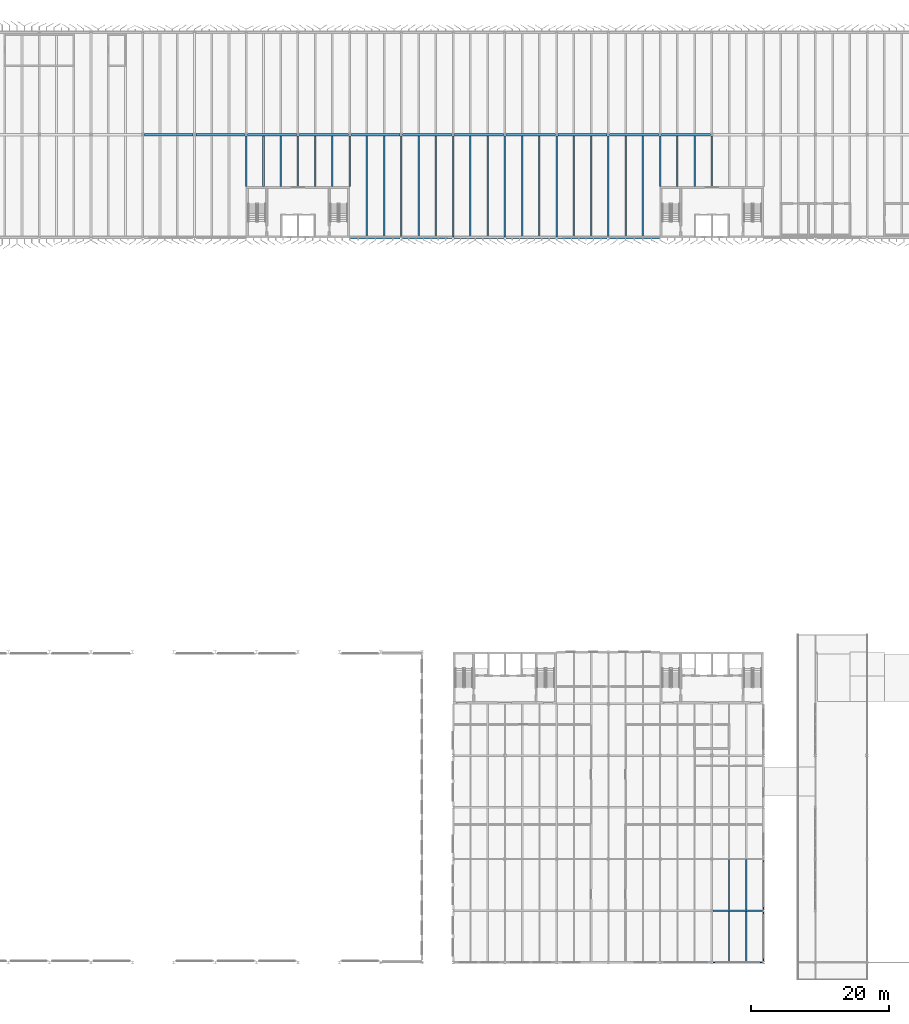
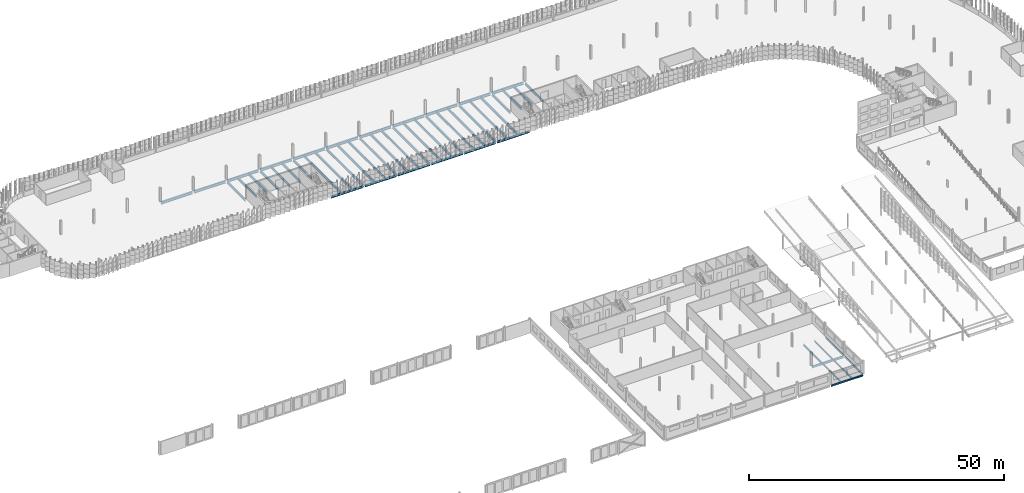
# One storey, part 31 of 199: 53 beams.
"""IFC4 building model written with IfcOpenShell, lengths in metres."""

from ifc_helpers import new_model, si_unit, direction, frame, origin, origin_2d, place, context, subcontext, project, spatial, i_section, extrude, material, material_profile, profile_set, type_object, element, save


model = new_model("IFC4")

# Units and contexts
model_context = context("Model", 3, precision=1e-05, world=origin(), true_north=direction((0.0, 1.0)))
body_context = subcontext(model_context, "Body", "Model", "MODEL_VIEW")
ifc_project = project(units=[si_unit("LENGTHUNIT", "METRE"), si_unit("AREAUNIT", "SQUARE_METRE"), si_unit("VOLUMEUNIT", "CUBIC_METRE"), si_unit("PLANEANGLEUNIT", "RADIAN"), si_unit("MASSUNIT", "GRAM", prefix="KILO")], contexts=[model_context])

# Site, building, storey
site_placement = place(None, origin())
site = spatial("IfcSite", under=ifc_project, at=site_placement, CompositionType="ELEMENT")
building_placement = place(site_placement, origin())
building = spatial("IfcBuilding", under=site, at=building_placement, Name="Parallax Yard Mobility Hub", CompositionType="ELEMENT")
storey_placement = place(building_placement, frame((0.0, 0.0, 9.89990234375)))
storey = spatial("IfcBuildingStorey", under=building, at=storey_placement, Name="L03", CompositionType="ELEMENT", Elevation=9.89990234375)

# Beams
ifc_material = material(Name="Steel ASTM A992", Category="steel")
ifc_material_profile_1 = material_profile(ifc_material, i_section(OverallWidth=0.177978515625, OverallDepth=0.406005859375, WebThickness=0.0078125, FlangeThickness=0.0126953125, FilletRadius=0.01025390625, at=origin_2d()), Name="W410x60")
ifc_profile_set_1 = profile_set([ifc_material_profile_1], Name="Steel ASTM A992")
beam_type_1 = type_object("IfcBeamType", Name="W410x60 secondary beam", PredefinedType="JOIST", material=ifc_profile_set_1)
beam_1_placement = place(storey_placement, frame((137.5, 7.589599609375, -0.343017578125), z_axis=(0.0, 1.0, 0.0), x_axis=(-1.0, 0.0, 0.0)))
element("IfcBeam", 1, at=beam_1_placement, inside=storey, type_object=beam_type_1, Name="Secondary beam B1 level L03, 2.5 m east of line 19 of mobility service centre and workshops, span 1", PredefinedType="JOIST", context=body_context, shape_type="SweptSolid", body=[
    extrude(i_section(OverallWidth=0.177978515625, OverallDepth=0.406005859375, WebThickness=0.0078125, FlangeThickness=0.0126953125, FilletRadius=0.01025390625, at=origin_2d()), origin(), (0.0, 0.0, 1.0), 7.305908203125),
])
beam_2_placement = place(storey_placement, frame((137.5, 15.1044921875, -0.343017578125), z_axis=(0.0, 1.0, 0.0), x_axis=(-1.0, 0.0, 0.0)))
element("IfcBeam", 2, at=beam_2_placement, inside=storey, type_object=beam_type_1, Name="Secondary beam B1 level L03, 2.5 m east of line 19 of mobility service centre and workshops, span 2", PredefinedType="JOIST", context=body_context, shape_type="SweptSolid", body=[
    extrude(i_section(OverallWidth=0.177978515625, OverallDepth=0.406005859375, WebThickness=0.0078125, FlangeThickness=0.0126953125, FilletRadius=0.01025390625, at=origin_2d()), origin(), (0.0, 0.0, 1.0), 7.291015625),
])
beam_3_placement = place(storey_placement, frame((140.0, 7.589599609375, -0.343017578125), z_axis=(0.0, 1.0, 0.0), x_axis=(-1.0, 0.0, 0.0)))
element("IfcBeam", 3, at=beam_3_placement, inside=storey, type_object=beam_type_1, Name="Secondary beam B1 level L03, 5 m east of line 19 of mobility service centre and workshops, span 1", PredefinedType="JOIST", context=body_context, shape_type="SweptSolid", body=[
    extrude(i_section(OverallWidth=0.177978515625, OverallDepth=0.406005859375, WebThickness=0.0078125, FlangeThickness=0.0126953125, FilletRadius=0.01025390625, at=origin_2d()), origin(), (0.0, 0.0, 1.0), 7.305908203125),
])
beam_4_placement = place(storey_placement, frame((140.0, 15.1044921875, -0.343017578125), z_axis=(0.0, 1.0, 0.0), x_axis=(-1.0, 0.0, 0.0)))
element("IfcBeam", 4, at=beam_4_placement, inside=storey, type_object=beam_type_1, Name="Secondary beam B1 level L03, 5 m east of line 19 of mobility service centre and workshops, span 2", PredefinedType="JOIST", context=body_context, shape_type="SweptSolid", body=[
    extrude(i_section(OverallWidth=0.177978515625, OverallDepth=0.406005859375, WebThickness=0.0078125, FlangeThickness=0.0126953125, FilletRadius=0.01025390625, at=origin_2d()), origin(), (0.0, 0.0, 1.0), 7.291015625),
])
ifc_material_profile_2 = material_profile(ifc_material, i_section(OverallWidth=0.178955078125, OverallDepth=0.408935546875, WebThickness=0.0087890625, FlangeThickness=0.014404296875, FilletRadius=0.01025390625, at=origin_2d()), Name="W410x67")
ifc_profile_set_2 = profile_set([ifc_material_profile_2], Name="Steel ASTM A992")
beam_type_2 = type_object("IfcBeamType", Name="W410x67 edge beam", PredefinedType="SPANDREL", material=ifc_profile_set_2)
for number, where, z_axis, x_axis, name in (
    (5, (142.5, 7.653564453125, -0.344482421875), (0.0, 1.0, 0.0), (-1.0, 0.0, 0.0), "Edge beam SB3 level L03, line 20 of mobility service centre and workshops, span 1"),
    (6, (142.5, 15.153564453125, -0.344482421875), (0.0, 1.0, 0.0), (-1.0, 0.0, 0.0), "Edge beam SB3 level L03, line 20 of mobility service centre and workshops, span 2"),
):
    element("IfcBeam", number, at=place(storey_placement, frame(where, z_axis=z_axis, x_axis=x_axis)), inside=storey, type_object=beam_type_2, Name=name, PredefinedType="SPANDREL", context=body_context, shape_type="SweptSolid", body=[
        extrude(i_section(OverallWidth=0.178955078125, OverallDepth=0.408935546875, WebThickness=0.0087890625, FlangeThickness=0.014404296875, FilletRadius=0.01025390625, at=origin_2d()), origin(), (0.0, 0.0, 1.0), 7.19287109375),
    ])
beam_5_placement = place(storey_placement, frame((135.152587890625, 7.5, -0.344482421875), z_axis=(1.0, 0.0, 0.0), x_axis=(0.0, 1.0, 0.0)))
element("IfcBeam", 7, at=beam_5_placement, inside=storey, type_object=beam_type_2, Name="Edge beam SB3 level L03, line B of mobility service centre and workshops, span 6", PredefinedType="SPANDREL", context=body_context, shape_type="SweptSolid", body=[
    extrude(i_section(OverallWidth=0.178955078125, OverallDepth=0.408935546875, WebThickness=0.0087890625, FlangeThickness=0.014404296875, FilletRadius=0.01025390625, at=origin_2d()), origin(), (0.0, 0.0, 1.0), 7.19482421875),
])
ifc_material_profile_3 = material_profile(ifc_material, i_section(OverallWidth=0.208984375, OverallDepth=0.532958984375, WebThickness=0.01025390625, FlangeThickness=0.015625, FilletRadius=0.0126953125, at=origin_2d()), Name="W530x92")
ifc_profile_set_3 = profile_set([ifc_material_profile_3], Name="Steel ASTM A992")
beam_type_3 = type_object("IfcBeamType", Name="W530x92 edge beam", PredefinedType="SPANDREL", material=ifc_profile_set_3)
beam_6_placement = place(storey_placement, frame((82.5, 112.5, -0.406494140625), z_axis=(1.0, 0.0, 0.0), x_axis=(0.0, 1.0, 0.0)))
element("IfcBeam", 8, at=beam_6_placement, inside=storey, type_object=beam_type_3, Name="Edge beam SB5 level L03, line R of ramped parking decks, span 6", PredefinedType="SPANDREL", context=body_context, shape_type="SweptSolid", body=[
    extrude(i_section(OverallWidth=0.208984375, OverallDepth=0.532958984375, WebThickness=0.01025390625, FlangeThickness=0.015625, FilletRadius=0.0126953125, at=origin_2d()), origin(), (0.0, 0.0, 1.0), 7.3134765625),
])
beam_7_placement = place(storey_placement, frame((90.1865234375, 112.5, -0.406494140625), z_axis=(1.0, 0.0, 0.0), x_axis=(0.0, 1.0, 0.0)))
element("IfcBeam", 9, at=beam_7_placement, inside=storey, type_object=beam_type_3, Name="Edge beam SB5 level L03, line R of ramped parking decks, span 7", PredefinedType="SPANDREL", context=body_context, shape_type="SweptSolid", body=[
    extrude(i_section(OverallWidth=0.208984375, OverallDepth=0.532958984375, WebThickness=0.01025390625, FlangeThickness=0.015625, FilletRadius=0.0126953125, at=origin_2d()), origin(), (0.0, 0.0, 1.0), 7.160888671875),
])
for number, where, z_axis, x_axis, name in (
    (10, (97.652587890625, 112.5, -0.406494140625), (1.0, 0.0, 0.0), (0.0, 1.0, 0.0), "Edge beam SB5 level L03, line R of ramped parking decks, span 8"),
    (11, (105.152587890625, 112.5, -0.406494140625), (1.0, 0.0, 0.0), (0.0, 1.0, 0.0), "Edge beam SB5 level L03, line R of ramped parking decks, span 9"),
):
    element("IfcBeam", number, at=place(storey_placement, frame(where, z_axis=z_axis, x_axis=x_axis)), inside=storey, type_object=beam_type_3, Name=name, PredefinedType="SPANDREL", context=body_context, shape_type="SweptSolid", body=[
        extrude(i_section(OverallWidth=0.208984375, OverallDepth=0.532958984375, WebThickness=0.01025390625, FlangeThickness=0.015625, FilletRadius=0.0126953125, at=origin_2d()), origin(), (0.0, 0.0, 1.0), 7.19482421875),
    ])
beam_8_placement = place(storey_placement, frame((112.652587890625, 112.5, -0.406494140625), z_axis=(1.0, 0.0, 0.0), x_axis=(0.0, 1.0, 0.0)))
element("IfcBeam", 12, at=beam_8_placement, inside=storey, type_object=beam_type_3, Name="Edge beam SB5 level L03, line R of ramped parking decks, span 10", PredefinedType="SPANDREL", context=body_context, shape_type="SweptSolid", body=[
    extrude(i_section(OverallWidth=0.208984375, OverallDepth=0.532958984375, WebThickness=0.01025390625, FlangeThickness=0.015625, FilletRadius=0.0126953125, at=origin_2d()), origin(), (0.0, 0.0, 1.0), 7.160888671875),
])
beam_9_placement = place(storey_placement, frame((120.1865234375, 112.5, -0.406494140625), z_axis=(1.0, 0.0, 0.0), x_axis=(0.0, 1.0, 0.0)))
element("IfcBeam", 13, at=beam_9_placement, inside=storey, type_object=beam_type_3, Name="Edge beam SB5 level L03, line R of ramped parking decks, span 11", PredefinedType="SPANDREL", context=body_context, shape_type="SweptSolid", body=[
    extrude(i_section(OverallWidth=0.208984375, OverallDepth=0.532958984375, WebThickness=0.01025390625, FlangeThickness=0.015625, FilletRadius=0.0126953125, at=origin_2d()), origin(), (0.0, 0.0, 1.0), 7.3134765625),
])
ifc_material_profile_4 = material_profile(ifc_material, i_section(OverallWidth=0.208984375, OverallDepth=0.532958984375, WebThickness=0.01025390625, FlangeThickness=0.015625, FilletRadius=0.0126953125, at=origin_2d()), Name="W530x92")
ifc_profile_set_4 = profile_set([ifc_material_profile_4], Name="Steel ASTM A992")
beam_type_4 = type_object("IfcBeamType", Name="W530x92 longitudinal beam", PredefinedType="BEAM", material=ifc_profile_set_4)
beam_10_placement = place(storey_placement, frame((135.152587890625, 15.0, -0.406494140625), z_axis=(1.0, 0.0, 0.0), x_axis=(0.0, 1.0, 0.0)))
element("IfcBeam", 14, at=beam_10_placement, inside=storey, type_object=beam_type_4, Name="Longitudinal beam SB6 level L03, line C of mobility service centre and workshops, span 6", PredefinedType="BEAM", context=body_context, shape_type="SweptSolid", body=[
    extrude(i_section(OverallWidth=0.208984375, OverallDepth=0.532958984375, WebThickness=0.01025390625, FlangeThickness=0.015625, FilletRadius=0.0126953125, at=origin_2d()), origin(), (0.0, 0.0, 1.0), 7.19482421875),
])
ifc_material_profile_5 = material_profile(ifc_material, i_section(OverallWidth=0.22802734375, OverallDepth=0.60205078125, WebThickness=0.010498046875, FlangeThickness=0.014892578125, FilletRadius=0.0126953125, at=origin_2d()), Name="W610x101")
ifc_profile_set_5 = profile_set([ifc_material_profile_5], Name="Steel ASTM A992")
beam_type_5 = type_object("IfcBeamType", Name="W610x101 secondary beam", PredefinedType="JOIST", material=ifc_profile_set_5)
for number, where, z_axis, x_axis, name in (
    (15, (70.0, 120.0, -0.44091796875), (0.0, 1.0, 0.0), (-1.0, 0.0, 0.0), "Secondary beam B3 level L03, 2.5 m east of line 10 of ramped parking decks, span 1"),
    (16, (77.5, 120.0, -0.44091796875), (0.0, 1.0, 0.0), (-1.0, 0.0, 0.0), "Secondary beam B3 level L03, 2.5 m east of line 11 of ramped parking decks, span 1"),
):
    element("IfcBeam", number, at=place(storey_placement, frame(where, z_axis=z_axis, x_axis=x_axis)), inside=storey, type_object=beam_type_5, Name=name, PredefinedType="JOIST", context=body_context, shape_type="SweptSolid", body=[
        extrude(i_section(OverallWidth=0.22802734375, OverallDepth=0.60205078125, WebThickness=0.010498046875, FlangeThickness=0.014892578125, FilletRadius=0.0126953125, at=origin_2d()), origin(), (0.0, 0.0, 1.0), 7.33740234375),
    ])
for number, where, z_axis, x_axis, name in (
    (17, (85.0, 112.6044921875, -0.44091796875), (0.0, 1.0, 0.0), (-1.0, 0.0, 0.0), "Secondary beam B3 level L03, 2.5 m east of line 12 of ramped parking decks, span 1"),
    (18, (92.5, 112.6044921875, -0.44091796875), (0.0, 1.0, 0.0), (-1.0, 0.0, 0.0), "Secondary beam B3 level L03, 2.5 m east of line 13 of ramped parking decks, span 1"),
    (19, (100.0, 112.6044921875, -0.44091796875), (0.0, 1.0, 0.0), (-1.0, 0.0, 0.0), "Secondary beam B3 level L03, 2.5 m east of line 14 of ramped parking decks, span 1"),
    (20, (107.5, 112.6044921875, -0.44091796875), (0.0, 1.0, 0.0), (-1.0, 0.0, 0.0), "Secondary beam B3 level L03, 2.5 m east of line 15 of ramped parking decks, span 1"),
    (21, (115.0, 112.6044921875, -0.44091796875), (0.0, 1.0, 0.0), (-1.0, 0.0, 0.0), "Secondary beam B3 level L03, 2.5 m east of line 16 of ramped parking decks, span 1"),
    (22, (122.5, 112.6044921875, -0.44091796875), (0.0, 1.0, 0.0), (-1.0, 0.0, 0.0), "Secondary beam B3 level L03, 2.5 m east of line 17 of ramped parking decks, span 1"),
):
    element("IfcBeam", number, at=place(storey_placement, frame(where, z_axis=z_axis, x_axis=x_axis)), inside=storey, type_object=beam_type_5, Name=name, PredefinedType="JOIST", context=body_context, shape_type="SweptSolid", body=[
        extrude(i_section(OverallWidth=0.22802734375, OverallDepth=0.60205078125, WebThickness=0.010498046875, FlangeThickness=0.014892578125, FilletRadius=0.0126953125, at=origin_2d()), origin(), (0.0, 0.0, 1.0), 14.73291015625),
    ])
for number, where, z_axis, x_axis, name in (
    (23, (130.0, 120.0, -0.44091796875), (0.0, 1.0, 0.0), (-1.0, 0.0, 0.0), "Secondary beam B3 level L03, 2.5 m east of line 18 of ramped parking decks, span 1"),
    (24, (72.5, 120.0, -0.44091796875), (0.0, 1.0, 0.0), (-1.0, 0.0, 0.0), "Secondary beam B3 level L03, 5 m east of line 10 of ramped parking decks, span 1"),
    (25, (80.0, 120.0, -0.44091796875), (0.0, 1.0, 0.0), (-1.0, 0.0, 0.0), "Secondary beam B3 level L03, 5 m east of line 11 of ramped parking decks, span 1"),
):
    element("IfcBeam", number, at=place(storey_placement, frame(where, z_axis=z_axis, x_axis=x_axis)), inside=storey, type_object=beam_type_5, Name=name, PredefinedType="JOIST", context=body_context, shape_type="SweptSolid", body=[
        extrude(i_section(OverallWidth=0.22802734375, OverallDepth=0.60205078125, WebThickness=0.010498046875, FlangeThickness=0.014892578125, FilletRadius=0.0126953125, at=origin_2d()), origin(), (0.0, 0.0, 1.0), 7.33740234375),
    ])
for number, where, z_axis, x_axis, name in (
    (26, (87.5, 112.6044921875, -0.44091796875), (0.0, 1.0, 0.0), (-1.0, 0.0, 0.0), "Secondary beam B3 level L03, 5 m east of line 12 of ramped parking decks, span 1"),
    (27, (95.0, 112.6044921875, -0.44091796875), (0.0, 1.0, 0.0), (-1.0, 0.0, 0.0), "Secondary beam B3 level L03, 5 m east of line 13 of ramped parking decks, span 1"),
    (28, (102.5, 112.6044921875, -0.44091796875), (0.0, 1.0, 0.0), (-1.0, 0.0, 0.0), "Secondary beam B3 level L03, 5 m east of line 14 of ramped parking decks, span 1"),
    (29, (110.0, 112.6044921875, -0.44091796875), (0.0, 1.0, 0.0), (-1.0, 0.0, 0.0), "Secondary beam B3 level L03, 5 m east of line 15 of ramped parking decks, span 1"),
    (30, (117.5, 112.6044921875, -0.44091796875), (0.0, 1.0, 0.0), (-1.0, 0.0, 0.0), "Secondary beam B3 level L03, 5 m east of line 16 of ramped parking decks, span 1"),
    (31, (125.0, 112.6044921875, -0.44091796875), (0.0, 1.0, 0.0), (-1.0, 0.0, 0.0), "Secondary beam B3 level L03, 5 m east of line 17 of ramped parking decks, span 1"),
):
    element("IfcBeam", number, at=place(storey_placement, frame(where, z_axis=z_axis, x_axis=x_axis)), inside=storey, type_object=beam_type_5, Name=name, PredefinedType="JOIST", context=body_context, shape_type="SweptSolid", body=[
        extrude(i_section(OverallWidth=0.22802734375, OverallDepth=0.60205078125, WebThickness=0.010498046875, FlangeThickness=0.014892578125, FilletRadius=0.0126953125, at=origin_2d()), origin(), (0.0, 0.0, 1.0), 14.73291015625),
    ])
beam_11_placement = place(storey_placement, frame((132.5, 120.0, -0.44091796875), z_axis=(0.0, 1.0, 0.0), x_axis=(-1.0, 0.0, 0.0)))
element("IfcBeam", 32, at=beam_11_placement, inside=storey, type_object=beam_type_5, Name="Secondary beam B3 level L03, 5 m east of line 18 of ramped parking decks, span 1", PredefinedType="JOIST", context=body_context, shape_type="SweptSolid", body=[
    extrude(i_section(OverallWidth=0.22802734375, OverallDepth=0.60205078125, WebThickness=0.010498046875, FlangeThickness=0.014892578125, FilletRadius=0.0126953125, at=origin_2d()), origin(), (0.0, 0.0, 1.0), 7.33740234375),
])
ifc_material_profile_6 = material_profile(ifc_material, i_section(OverallWidth=0.22900390625, OverallDepth=0.612060546875, WebThickness=0.011962890625, FlangeThickness=0.01953125, FilletRadius=0.0126953125, at=origin_2d()), Name="W610x125")
ifc_profile_set_6 = profile_set([ifc_material_profile_6], Name="Steel ASTM A992")
beam_type_6 = type_object("IfcBeamType", Name="W610x125 girder", PredefinedType="BEAM", material=ifc_profile_set_6)
beam_12_placement = place(storey_placement, frame((67.5, 120.0, -0.44580078125), z_axis=(0.0, 1.0, 0.0), x_axis=(-1.0, 0.0, 0.0)))
element("IfcBeam", 33, at=beam_12_placement, inside=storey, type_object=beam_type_6, Name="Girder G3 level L03, line 10 of ramped parking decks, span 1", PredefinedType="BEAM", context=body_context, shape_type="SweptSolid", body=[
    extrude(i_section(OverallWidth=0.22900390625, OverallDepth=0.612060546875, WebThickness=0.011962890625, FlangeThickness=0.01953125, FilletRadius=0.0126953125, at=origin_2d()), origin(), (0.0, 0.0, 1.0), 7.31201171875),
])
beam_13_placement = place(storey_placement, frame((75.0, 120.0, -0.44580078125), z_axis=(0.0, 1.0, 0.0), x_axis=(-1.0, 0.0, 0.0)))
element("IfcBeam", 34, at=beam_13_placement, inside=storey, type_object=beam_type_6, Name="Girder G3 level L03, line 11 of ramped parking decks, span 1", PredefinedType="BEAM", context=body_context, shape_type="SweptSolid", body=[
    extrude(i_section(OverallWidth=0.22900390625, OverallDepth=0.612060546875, WebThickness=0.011962890625, FlangeThickness=0.01953125, FilletRadius=0.0126953125, at=origin_2d()), origin(), (0.0, 0.0, 1.0), 7.3095703125),
])
beam_14_placement = place(storey_placement, frame((82.5, 120.0, -0.44580078125), z_axis=(0.0, 1.0, 0.0), x_axis=(-1.0, 0.0, 0.0)))
element("IfcBeam", 35, at=beam_14_placement, inside=storey, type_object=beam_type_6, Name="Girder G3 level L03, line 12 of ramped parking decks, span 1", PredefinedType="BEAM", context=body_context, shape_type="SweptSolid", body=[
    extrude(i_section(OverallWidth=0.22900390625, OverallDepth=0.612060546875, WebThickness=0.011962890625, FlangeThickness=0.01953125, FilletRadius=0.0126953125, at=origin_2d()), origin(), (0.0, 0.0, 1.0), 7.31201171875),
])
beam_15_placement = place(storey_placement, frame((90.0, 112.68408203125, -0.44580078125), z_axis=(0.0, 1.0, 0.0), x_axis=(-1.0, 0.0, 0.0)))
element("IfcBeam", 36, at=beam_15_placement, inside=storey, type_object=beam_type_6, Name="Girder G3 level L03, line 13 of ramped parking decks, span 1", PredefinedType="BEAM", context=body_context, shape_type="SweptSolid", body=[
    extrude(i_section(OverallWidth=0.22900390625, OverallDepth=0.612060546875, WebThickness=0.011962890625, FlangeThickness=0.01953125, FilletRadius=0.0126953125, at=origin_2d()), origin(), (0.0, 0.0, 1.0), 14.6318359375),
])
for number, where, z_axis, x_axis, name in (
    (37, (97.5, 112.653564453125, -0.44580078125), (0.0, 1.0, 0.0), (-1.0, 0.0, 0.0), "Girder G3 level L03, line 14 of ramped parking decks, span 1"),
    (38, (105.0, 112.653564453125, -0.44580078125), (0.0, 1.0, 0.0), (-1.0, 0.0, 0.0), "Girder G3 level L03, line 15 of ramped parking decks, span 1"),
    (39, (112.5, 112.653564453125, -0.44580078125), (0.0, 1.0, 0.0), (-1.0, 0.0, 0.0), "Girder G3 level L03, line 16 of ramped parking decks, span 1"),
):
    element("IfcBeam", number, at=place(storey_placement, frame(where, z_axis=z_axis, x_axis=x_axis)), inside=storey, type_object=beam_type_6, Name=name, PredefinedType="BEAM", context=body_context, shape_type="SweptSolid", body=[
        extrude(i_section(OverallWidth=0.22900390625, OverallDepth=0.612060546875, WebThickness=0.011962890625, FlangeThickness=0.01953125, FilletRadius=0.0126953125, at=origin_2d()), origin(), (0.0, 0.0, 1.0), 14.662353515625),
    ])
beam_16_placement = place(storey_placement, frame((120.0, 112.68408203125, -0.44580078125), z_axis=(0.0, 1.0, 0.0), x_axis=(-1.0, 0.0, 0.0)))
element("IfcBeam", 40, at=beam_16_placement, inside=storey, type_object=beam_type_6, Name="Girder G3 level L03, line 17 of ramped parking decks, span 1", PredefinedType="BEAM", context=body_context, shape_type="SweptSolid", body=[
    extrude(i_section(OverallWidth=0.22900390625, OverallDepth=0.612060546875, WebThickness=0.011962890625, FlangeThickness=0.01953125, FilletRadius=0.0126953125, at=origin_2d()), origin(), (0.0, 0.0, 1.0), 14.6318359375),
])
beam_17_placement = place(storey_placement, frame((127.5, 120.0, -0.44580078125), z_axis=(0.0, 1.0, 0.0), x_axis=(-1.0, 0.0, 0.0)))
element("IfcBeam", 41, at=beam_17_placement, inside=storey, type_object=beam_type_6, Name="Girder G3 level L03, line 18 of ramped parking decks, span 1", PredefinedType="BEAM", context=body_context, shape_type="SweptSolid", body=[
    extrude(i_section(OverallWidth=0.22900390625, OverallDepth=0.612060546875, WebThickness=0.011962890625, FlangeThickness=0.01953125, FilletRadius=0.0126953125, at=origin_2d()), origin(), (0.0, 0.0, 1.0), 7.31201171875),
])
beam_18_placement = place(storey_placement, frame((135.0, 120.0, -0.44580078125), z_axis=(0.0, 1.0, 0.0), x_axis=(-1.0, 0.0, 0.0)))
element("IfcBeam", 42, at=beam_18_placement, inside=storey, type_object=beam_type_6, Name="Girder G3 level L03, line 19 of ramped parking decks, span 1", PredefinedType="BEAM", context=body_context, shape_type="SweptSolid", body=[
    extrude(i_section(OverallWidth=0.22900390625, OverallDepth=0.612060546875, WebThickness=0.011962890625, FlangeThickness=0.01953125, FilletRadius=0.0126953125, at=origin_2d()), origin(), (0.0, 0.0, 1.0), 7.3095703125),
])
ifc_material_profile_7 = material_profile(ifc_material, i_section(OverallWidth=0.324951171875, OverallDepth=0.612060546875, WebThickness=0.0126953125, FlangeThickness=0.01904296875, FilletRadius=0.0126953125, at=origin_2d()), Name="W610x155")
ifc_profile_set_7 = profile_set([ifc_material_profile_7], Name="Steel ASTM A992")
beam_type_7 = type_object("IfcBeamType", Name="W610x155 longitudinal beam", PredefinedType="BEAM", material=ifc_profile_set_7)
beam_19_placement = place(storey_placement, frame((52.6865234375, 127.5, -0.44580078125), z_axis=(1.0, 0.0, 0.0), x_axis=(0.0, 1.0, 0.0)))
element("IfcBeam", 43, at=beam_19_placement, inside=storey, type_object=beam_type_7, Name="Longitudinal beam SB8 level L03, line T of ramped parking decks, span 4", PredefinedType="BEAM", context=body_context, shape_type="SweptSolid", body=[
    extrude(i_section(OverallWidth=0.324951171875, OverallDepth=0.612060546875, WebThickness=0.0126953125, FlangeThickness=0.01904296875, FilletRadius=0.0126953125, at=origin_2d()), origin(), (0.0, 0.0, 1.0), 7.126953125),
])
beam_20_placement = place(storey_placement, frame((60.1865234375, 127.5, -0.44580078125), z_axis=(1.0, 0.0, 0.0), x_axis=(0.0, 1.0, 0.0)))
element("IfcBeam", 44, at=beam_20_placement, inside=storey, type_object=beam_type_7, Name="Longitudinal beam SB8 level L03, line T of ramped parking decks, span 5", PredefinedType="BEAM", context=body_context, shape_type="SweptSolid", body=[
    extrude(i_section(OverallWidth=0.324951171875, OverallDepth=0.612060546875, WebThickness=0.0126953125, FlangeThickness=0.01904296875, FilletRadius=0.0126953125, at=origin_2d()), origin(), (0.0, 0.0, 1.0), 7.116455078125),
])
for number, where, z_axis, x_axis, name in (
    (45, (67.697021484375, 127.5, -0.44580078125), (1.0, 0.0, 0.0), (0.0, 1.0, 0.0), "Longitudinal beam SB8 level L03, line T of ramped parking decks, span 6"),
    (46, (75.197998046875, 127.5, -0.44580078125), (1.0, 0.0, 0.0), (0.0, 1.0, 0.0), "Longitudinal beam SB8 level L03, line T of ramped parking decks, span 7"),
):
    element("IfcBeam", number, at=place(storey_placement, frame(where, z_axis=z_axis, x_axis=x_axis)), inside=storey, type_object=beam_type_7, Name=name, PredefinedType="BEAM", context=body_context, shape_type="SweptSolid", body=[
        extrude(i_section(OverallWidth=0.324951171875, OverallDepth=0.612060546875, WebThickness=0.0126953125, FlangeThickness=0.01904296875, FilletRadius=0.0126953125, at=origin_2d()), origin(), (0.0, 0.0, 1.0), 7.10498046875),
    ])
beam_21_placement = place(storey_placement, frame((82.697021484375, 127.5, -0.44580078125), z_axis=(1.0, 0.0, 0.0), x_axis=(0.0, 1.0, 0.0)))
element("IfcBeam", 47, at=beam_21_placement, inside=storey, type_object=beam_type_7, Name="Longitudinal beam SB8 level L03, line T of ramped parking decks, span 8", PredefinedType="BEAM", context=body_context, shape_type="SweptSolid", body=[
    extrude(i_section(OverallWidth=0.324951171875, OverallDepth=0.612060546875, WebThickness=0.0126953125, FlangeThickness=0.01904296875, FilletRadius=0.0126953125, at=origin_2d()), origin(), (0.0, 0.0, 1.0), 7.116455078125),
])
for number, where, z_axis, x_axis, name in (
    (48, (90.1865234375, 127.5, -0.44580078125), (1.0, 0.0, 0.0), (0.0, 1.0, 0.0), "Longitudinal beam SB8 level L03, line T of ramped parking decks, span 9"),
    (49, (97.6865234375, 127.5, -0.44580078125), (1.0, 0.0, 0.0), (0.0, 1.0, 0.0), "Longitudinal beam SB8 level L03, line T of ramped parking decks, span 10"),
    (50, (105.1865234375, 127.5, -0.44580078125), (1.0, 0.0, 0.0), (0.0, 1.0, 0.0), "Longitudinal beam SB8 level L03, line T of ramped parking decks, span 11"),
    (51, (112.6865234375, 127.5, -0.44580078125), (1.0, 0.0, 0.0), (0.0, 1.0, 0.0), "Longitudinal beam SB8 level L03, line T of ramped parking decks, span 12"),
):
    element("IfcBeam", number, at=place(storey_placement, frame(where, z_axis=z_axis, x_axis=x_axis)), inside=storey, type_object=beam_type_7, Name=name, PredefinedType="BEAM", context=body_context, shape_type="SweptSolid", body=[
        extrude(i_section(OverallWidth=0.324951171875, OverallDepth=0.612060546875, WebThickness=0.0126953125, FlangeThickness=0.01904296875, FilletRadius=0.0126953125, at=origin_2d()), origin(), (0.0, 0.0, 1.0), 7.126953125),
    ])
beam_22_placement = place(storey_placement, frame((120.1865234375, 127.5, -0.44580078125), z_axis=(1.0, 0.0, 0.0), x_axis=(0.0, 1.0, 0.0)))
element("IfcBeam", 52, at=beam_22_placement, inside=storey, type_object=beam_type_7, Name="Longitudinal beam SB8 level L03, line T of ramped parking decks, span 13", PredefinedType="BEAM", context=body_context, shape_type="SweptSolid", body=[
    extrude(i_section(OverallWidth=0.324951171875, OverallDepth=0.612060546875, WebThickness=0.0126953125, FlangeThickness=0.01904296875, FilletRadius=0.0126953125, at=origin_2d()), origin(), (0.0, 0.0, 1.0), 7.116455078125),
])
beam_23_placement = place(storey_placement, frame((127.697021484375, 127.5, -0.44580078125), z_axis=(1.0, 0.0, 0.0), x_axis=(0.0, 1.0, 0.0)))
element("IfcBeam", 53, at=beam_23_placement, inside=storey, type_object=beam_type_7, Name="Longitudinal beam SB8 level L03, line T of ramped parking decks, span 14", PredefinedType="BEAM", context=body_context, shape_type="SweptSolid", body=[
    extrude(i_section(OverallWidth=0.324951171875, OverallDepth=0.612060546875, WebThickness=0.0126953125, FlangeThickness=0.01904296875, FilletRadius=0.0126953125, at=origin_2d()), origin(), (0.0, 0.0, 1.0), 7.10498046875),
])

save(model, "model.ifc")
